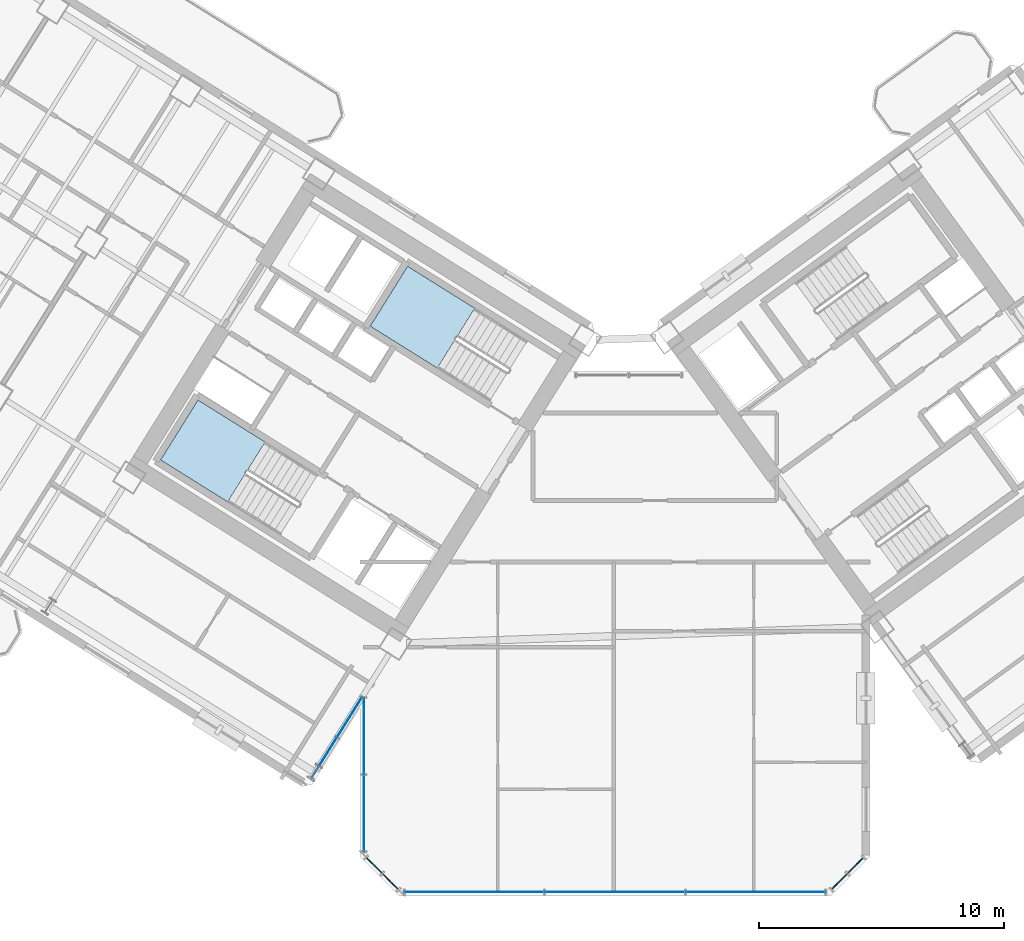
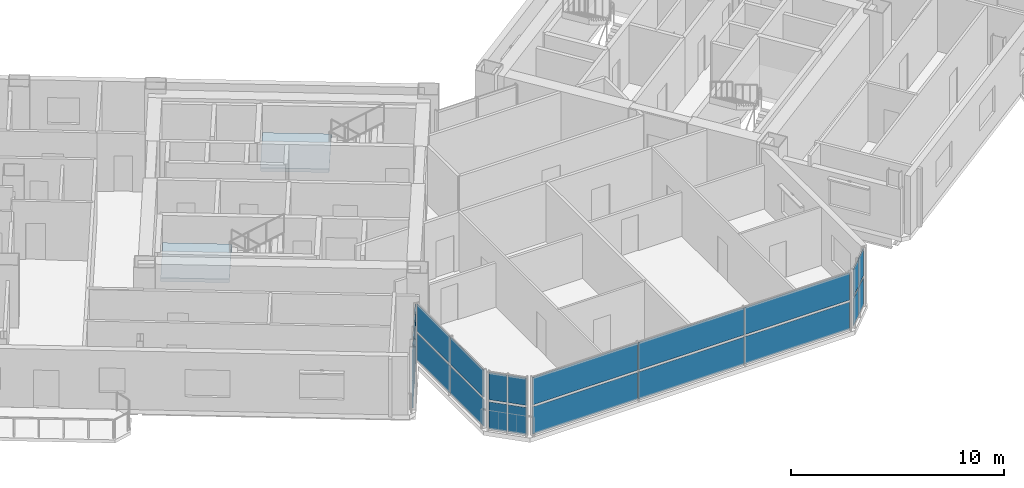
# One storey, part 13 of 24: 22 plates, 2 slabs, 7 elements without a shape of their own.
"""IFC4 building model written with IfcOpenShell, lengths in metres."""

from ifc_helpers import new_model, si_unit, direction, frame, origin, origin_2d, place, context, subcontext, project, spatial, polyline, rectangle, outline, extrude, source, transform, mapped, material, layer, layer_set, type_object, element, aggregate, save


model = new_model("IFC4")

# Units and contexts
model_context = context("Model", 3, precision=1e-05, world=origin(), true_north=direction((0.0, 1.0)))
body_context = subcontext(model_context, "Body", "Model", "MODEL_VIEW")
ifc_project = project(units=[si_unit("LENGTHUNIT", "METRE"), si_unit("AREAUNIT", "SQUARE_METRE"), si_unit("VOLUMEUNIT", "CUBIC_METRE"), si_unit("PLANEANGLEUNIT", "RADIAN"), si_unit("MASSUNIT", "GRAM", prefix="KILO")], contexts=[model_context])

# Site, building, storey
site_placement = place(None, origin())
site = spatial("IfcSite", under=ifc_project, at=site_placement, CompositionType="ELEMENT")
building_placement = place(site_placement, origin())
building = spatial("IfcBuilding", under=site, at=building_placement, Name="Tlacorven Tower", CompositionType="ELEMENT")
storey_placement = place(building_placement, frame((0.0, 0.0, 31.199951171875)))
storey = spatial("IfcBuildingStorey", under=building, at=storey_placement, Name="L07", CompositionType="ELEMENT", Elevation=31.199951171875)

# Stair, slab
ifc_material_1 = material(Name="Concrete C40/50", Category="concrete")
stair_type = type_object("IfcStairType", Name="ST-CORE-DLG", PredefinedType="HALF_TURN_STAIR", material=ifc_material_1)
stair_1_placement = place(storey_placement, origin())
stair_1 = element("IfcStair", 1, at=stair_1_placement, inside=storey, type_object=stair_type, Name="L07 Protected Exit Stair West 1", PredefinedType="HALF_TURN_STAIR")
ifc_layer_1 = layer(ifc_material_1, 0.199951171875)
ifc_layer_set_1 = layer_set([ifc_layer_1], Name="Concrete C40/50")
slab_type = type_object("IfcSlabType", Name="SL-LND-200", PredefinedType="LANDING", material=ifc_layer_set_1)
slab_1_placement = place(storey_placement, frame((0.0, 0.0, 1.60009765625)))
slab_1 = element("IfcSlab", 2, at=slab_1_placement, type_object=slab_type, Name="ST-W1 landing 1", PredefinedType="LANDING", context=body_context, shape_type="SweptSolid", body=[
    extrude(outline(polyline([(27.728515625, 20.315185546875), (24.9892578125, 22.02685546875), (23.463134765625, 19.58447265625), (26.2021484375, 17.872802734375), (27.728515625, 20.315185546875)])), origin(), (0.0, 0.0, 1.0), 0.199951171875),
])
aggregate(stair_1, [slab_1])

stair_2_placement = place(storey_placement, origin())
stair_2 = element("IfcStair", 3, at=stair_2_placement, inside=storey, type_object=stair_type, Name="L07 Protected Exit Stair West 2", PredefinedType="HALF_TURN_STAIR")
slab_2_placement = place(storey_placement, frame((0.0, 0.0, 1.60009765625)))
slab_2 = element("IfcSlab", 4, at=slab_2_placement, type_object=slab_type, Name="ST-W2 landing 1", PredefinedType="LANDING", context=body_context, shape_type="SweptSolid", body=[
    extrude(outline(polyline([(36.280029296875, 25.772705078125), (33.540771484375, 27.484375), (32.0146484375, 25.0419921875), (34.75390625, 23.33056640625), (36.280029296875, 25.772705078125)])), origin(), (0.0, 0.0, 1.0), 0.199951171875),
])
aggregate(stair_2, [slab_2])

# Curtain wall, plates
ifc_material_2 = material(Name="Dark solar low-E double glazing in aluminium frame", Category="aluminium")
curtain_wall_type = type_object("IfcCurtainWallType", Name="CW-TWR-LOW", PredefinedType="USERDEFINED", material=ifc_material_2)
curtain_wall_1_placement = place(storey_placement, origin())
curtain_wall_1 = element("IfcCurtainWall", 5, at=curtain_wall_1_placement, inside=storey, type_object=curtain_wall_type, Name="L07 CW-TWR-LOW Curtain Wall 33", ObjectType="UNITISED CURTAIN WALL", PredefinedType="USERDEFINED")
ifc_material_3 = material(Name="Dark solar double low-E glazing", Category="glass")
ifc_layer_2 = layer(ifc_material_3, 0.031982421875)
ifc_layer_set_2 = layer_set([ifc_layer_2], Name="Dark solar double low-E glazing")
plate_type = type_object("IfcPlateType", Name="CWP-02", PredefinedType="CURTAIN_PANEL", material=ifc_layer_set_2)
shared_shape_1 = source(origin(), body_context, "Body", "SweptSolid", [
    extrude(rectangle(XDim=0.878173828125, YDim=0.031982421875, at=origin_2d()), origin(), (0.0, 0.0, 1.0), 1.552978515625),
])
plate_1_placement = place(storey_placement, frame((51.815673828125, 3.0419921875, 0.06103515625), z_axis=(0.0, 0.0, 1.0), x_axis=(-0.707106781187, -0.707106781187, 0.0)))
plate_1 = element("IfcPlate", 6, at=plate_1_placement, type_object=plate_type, Name="CW-L07-033 Glazing Panel 1", PredefinedType="CURTAIN_PANEL", context=body_context, shape_type="MappedRepresentation", body=[
    mapped(shared_shape_1, transform((0.0, 0.0, 0.0), scale=1.0)),
])
plate_2_placement = place(storey_placement, frame((51.815673828125, 3.0419921875, 1.73583984375), z_axis=(0.0, 0.0, 1.0), x_axis=(-0.707106781187, -0.707106781187, 0.0)))
plate_2 = element("IfcPlate", 7, at=plate_2_placement, type_object=plate_type, Name="CW-L07-033 Glazing Panel 2", PredefinedType="CURTAIN_PANEL", context=body_context, shape_type="MappedRepresentation", body=[
    mapped(shared_shape_1, transform((0.0, 0.0, 0.0), scale=1.0)),
])
plate_3_placement = place(storey_placement, frame((51.157958984375, 2.38427734375, 0.06103515625), z_axis=(0.0, 0.0, 1.0), x_axis=(-0.707106781187, -0.707106781187, 0.0)))
plate_3 = element("IfcPlate", 8, at=plate_3_placement, type_object=plate_type, Name="CW-L07-033 Glazing Panel 3", PredefinedType="CURTAIN_PANEL", context=body_context, shape_type="MappedRepresentation", body=[
    mapped(shared_shape_1, transform((0.0, 0.0, 0.0), scale=1.0)),
])
plate_4_placement = place(storey_placement, frame((51.157958984375, 2.38427734375, 1.73583984375), z_axis=(0.0, 0.0, 1.0), x_axis=(-0.707106781187, -0.707106781187, 0.0)))
plate_4 = element("IfcPlate", 9, at=plate_4_placement, type_object=plate_type, Name="CW-L07-033 Glazing Panel 4", PredefinedType="CURTAIN_PANEL", context=body_context, shape_type="MappedRepresentation", body=[
    mapped(shared_shape_1, transform((0.0, 0.0, 0.0), scale=1.0)),
])
aggregate(curtain_wall_1, [plate_1, plate_2, plate_3, plate_4])

curtain_wall_2_placement = place(storey_placement, origin())
curtain_wall_2 = element("IfcCurtainWall", 10, at=curtain_wall_2_placement, inside=storey, type_object=curtain_wall_type, Name="L07 CW-TWR-LOW Curtain Wall 35", ObjectType="UNITISED CURTAIN WALL", PredefinedType="USERDEFINED")
plate_5_placement = place(storey_placement, frame((32.842041015625, 2.38427734375, 0.06103515625), z_axis=(0.0, 0.0, 1.0), x_axis=(-0.707106781187, 0.707106781187, 0.0)))
plate_5 = element("IfcPlate", 11, at=plate_5_placement, type_object=plate_type, Name="CW-L07-035 Glazing Panel 1", PredefinedType="CURTAIN_PANEL", context=body_context, shape_type="MappedRepresentation", body=[
    mapped(shared_shape_1, transform((0.0, 0.0, 0.0), scale=1.0)),
])
plate_6_placement = place(storey_placement, frame((32.842041015625, 2.38427734375, 1.73583984375), z_axis=(0.0, 0.0, 1.0), x_axis=(-0.707106781187, 0.707106781187, 0.0)))
plate_6 = element("IfcPlate", 12, at=plate_6_placement, type_object=plate_type, Name="CW-L07-035 Glazing Panel 2", PredefinedType="CURTAIN_PANEL", context=body_context, shape_type="MappedRepresentation", body=[
    mapped(shared_shape_1, transform((0.0, 0.0, 0.0), scale=1.0)),
])
plate_7_placement = place(storey_placement, frame((32.184326171875, 3.0419921875, 0.06103515625), z_axis=(0.0, 0.0, 1.0), x_axis=(-0.707106781187, 0.707106781187, 0.0)))
plate_7 = element("IfcPlate", 13, at=plate_7_placement, type_object=plate_type, Name="CW-L07-035 Glazing Panel 3", PredefinedType="CURTAIN_PANEL", context=body_context, shape_type="MappedRepresentation", body=[
    mapped(shared_shape_1, transform((0.0, 0.0, 0.0), scale=1.0)),
])
plate_8_placement = place(storey_placement, frame((32.184326171875, 3.0419921875, 1.73583984375), z_axis=(0.0, 0.0, 1.0), x_axis=(-0.707106781187, 0.707106781187, 0.0)))
plate_8 = element("IfcPlate", 14, at=plate_8_placement, type_object=plate_type, Name="CW-L07-035 Glazing Panel 4", PredefinedType="CURTAIN_PANEL", context=body_context, shape_type="MappedRepresentation", body=[
    mapped(shared_shape_1, transform((0.0, 0.0, 0.0), scale=1.0)),
])
aggregate(curtain_wall_2, [plate_5, plate_6, plate_7, plate_8])

curtain_wall_3_placement = place(storey_placement, origin())
curtain_wall_3 = element("IfcCurtainWall", 15, at=curtain_wall_3_placement, inside=storey, type_object=curtain_wall_type, Name="L07 CW-TWR-LOW Curtain Wall 34", ObjectType="UNITISED CURTAIN WALL", PredefinedType="USERDEFINED")
shared_shape_2 = source(origin(), body_context, "Body", "SweptSolid", [
    extrude(rectangle(XDim=5.668701171875, YDim=0.031982421875, at=origin_2d()), origin(), (0.0, 0.0, 1.0), 1.552978515625),
])
plate_9_placement = place(storey_placement, frame((47.73828125, 1.9599609375, 0.06103515625), z_axis=(0.0, 0.0, 1.0), x_axis=(-1.0, 0.0, 0.0)))
plate_9 = element("IfcPlate", 16, at=plate_9_placement, type_object=plate_type, Name="CW-L07-034 Glazing Panel 1", PredefinedType="CURTAIN_PANEL", context=body_context, shape_type="MappedRepresentation", body=[
    mapped(shared_shape_2, transform((0.0, 0.0, 0.0), scale=1.0)),
])
plate_10_placement = place(storey_placement, frame((47.73828125, 1.9599609375, 1.73583984375), z_axis=(0.0, 0.0, 1.0), x_axis=(-1.0, 0.0, 0.0)))
plate_10 = element("IfcPlate", 17, at=plate_10_placement, type_object=plate_type, Name="CW-L07-034 Glazing Panel 2", PredefinedType="CURTAIN_PANEL", context=body_context, shape_type="MappedRepresentation", body=[
    mapped(shared_shape_2, transform((0.0, 0.0, 0.0), scale=1.0)),
])
plate_11_placement = place(storey_placement, frame((36.26171875, 1.9599609375, 0.06103515625), z_axis=(0.0, 0.0, 1.0), x_axis=(-1.0, 0.0, 0.0)))
plate_11 = element("IfcPlate", 18, at=plate_11_placement, type_object=plate_type, Name="CW-L07-034 Glazing Panel 5", PredefinedType="CURTAIN_PANEL", context=body_context, shape_type="MappedRepresentation", body=[
    mapped(shared_shape_2, transform((0.0, 0.0, 0.0), scale=1.0)),
])
plate_12_placement = place(storey_placement, frame((36.26171875, 1.9599609375, 1.73583984375), z_axis=(0.0, 0.0, 1.0), x_axis=(-1.0, 0.0, 0.0)))
plate_12 = element("IfcPlate", 19, at=plate_12_placement, type_object=plate_type, Name="CW-L07-034 Glazing Panel 6", PredefinedType="CURTAIN_PANEL", context=body_context, shape_type="MappedRepresentation", body=[
    mapped(shared_shape_2, transform((0.0, 0.0, 0.0), scale=1.0)),
])
shared_shape_3 = source(origin(), body_context, "Body", "SweptSolid", [
    extrude(rectangle(XDim=5.703857421875, YDim=0.031982421875, at=origin_2d()), origin(), (0.0, 0.0, 1.0), 1.552978515625),
])
plate_13_placement = place(storey_placement, frame((42.0, 1.9599609375, 0.06103515625), z_axis=(0.0, 0.0, 1.0), x_axis=(-1.0, 0.0, 0.0)))
plate_13 = element("IfcPlate", 20, at=plate_13_placement, type_object=plate_type, Name="CW-L07-034 Glazing Panel 3", PredefinedType="CURTAIN_PANEL", context=body_context, shape_type="MappedRepresentation", body=[
    mapped(shared_shape_3, transform((0.0, 0.0, 0.0), scale=1.0)),
])
plate_14_placement = place(storey_placement, frame((42.0, 1.9599609375, 1.73583984375), z_axis=(0.0, 0.0, 1.0), x_axis=(-1.0, 0.0, 0.0)))
plate_14 = element("IfcPlate", 21, at=plate_14_placement, type_object=plate_type, Name="CW-L07-034 Glazing Panel 4", PredefinedType="CURTAIN_PANEL", context=body_context, shape_type="MappedRepresentation", body=[
    mapped(shared_shape_3, transform((0.0, 0.0, 0.0), scale=1.0)),
])
aggregate(curtain_wall_3, [plate_9, plate_10, plate_13, plate_14, plate_11, plate_12])

curtain_wall_4_placement = place(storey_placement, origin())
curtain_wall_4 = element("IfcCurtainWall", 22, at=curtain_wall_4_placement, inside=storey, type_object=curtain_wall_type, Name="L07 CW-TWR-LOW Curtain Wall 36", ObjectType="UNITISED CURTAIN WALL", PredefinedType="USERDEFINED")
shared_shape_4 = source(origin(), body_context, "Body", "SweptSolid", [
    extrude(rectangle(XDim=3.09423828125, YDim=0.031982421875, at=origin_2d()), origin(), (0.0, 0.0, 1.0), 1.552978515625),
])
plate_15_placement = place(storey_placement, frame((31.760009765625, 5.17431640625, 0.06103515625), z_axis=(0.0, 0.0, 1.0), x_axis=(0.0, 1.0, 0.0)))
plate_15 = element("IfcPlate", 23, at=plate_15_placement, type_object=plate_type, Name="CW-L07-036 Glazing Panel 1", PredefinedType="CURTAIN_PANEL", context=body_context, shape_type="MappedRepresentation", body=[
    mapped(shared_shape_4, transform((0.0, 0.0, 0.0), scale=1.0)),
])
plate_16_placement = place(storey_placement, frame((31.760009765625, 5.17431640625, 1.73583984375), z_axis=(0.0, 0.0, 1.0), x_axis=(0.0, 1.0, 0.0)))
plate_16 = element("IfcPlate", 24, at=plate_16_placement, type_object=plate_type, Name="CW-L07-036 Glazing Panel 2", PredefinedType="CURTAIN_PANEL", context=body_context, shape_type="MappedRepresentation", body=[
    mapped(shared_shape_4, transform((0.0, 0.0, 0.0), scale=1.0)),
])
plate_17_placement = place(storey_placement, frame((31.760009765625, 8.320556640625, 0.06103515625), z_axis=(0.0, 0.0, 1.0), x_axis=(0.0, 1.0, 0.0)))
plate_17 = element("IfcPlate", 25, at=plate_17_placement, type_object=plate_type, Name="CW-L07-036 Glazing Panel 3", PredefinedType="CURTAIN_PANEL", context=body_context, shape_type="MappedRepresentation", body=[
    mapped(shared_shape_4, transform((0.0, 0.0, 0.0), scale=1.0)),
])
plate_18_placement = place(storey_placement, frame((31.760009765625, 8.320556640625, 1.73583984375), z_axis=(0.0, 0.0, 1.0), x_axis=(0.0, 1.0, 0.0)))
plate_18 = element("IfcPlate", 26, at=plate_18_placement, type_object=plate_type, Name="CW-L07-036 Glazing Panel 4", PredefinedType="CURTAIN_PANEL", context=body_context, shape_type="MappedRepresentation", body=[
    mapped(shared_shape_4, transform((0.0, 0.0, 0.0), scale=1.0)),
])
aggregate(curtain_wall_4, [plate_15, plate_16, plate_17, plate_18])

curtain_wall_5_placement = place(storey_placement, origin())
curtain_wall_5 = element("IfcCurtainWall", 27, at=curtain_wall_5_placement, inside=storey, type_object=curtain_wall_type, Name="L07 CW-TWR-LOW Curtain Wall 37", ObjectType="UNITISED CURTAIN WALL", PredefinedType="USERDEFINED")
shared_shape_5 = source(origin(), body_context, "Body", "SweptSolid", [
    extrude(rectangle(XDim=1.896240234375, YDim=0.031982421875, at=origin_2d()), origin(), (0.0, 0.0, 1.0), 1.552978515625),
])
plate_19_placement = place(storey_placement, frame((31.172119140625, 9.087890625, 0.06103515625), z_axis=(0.0, 0.0, 1.0), x_axis=(-0.529918710919, -0.848048441905, 0.0)))
plate_19 = element("IfcPlate", 28, at=plate_19_placement, type_object=plate_type, Name="CW-L07-037 Glazing Panel 1", PredefinedType="CURTAIN_PANEL", context=body_context, shape_type="MappedRepresentation", body=[
    mapped(shared_shape_5, transform((0.0, 0.0, 0.0), scale=1.0)),
])
plate_20_placement = place(storey_placement, frame((31.172119140625, 9.087890625, 1.73583984375), z_axis=(0.0, 0.0, 1.0), x_axis=(-0.529918710919, -0.848048441905, 0.0)))
plate_20 = element("IfcPlate", 29, at=plate_20_placement, type_object=plate_type, Name="CW-L07-037 Glazing Panel 2", PredefinedType="CURTAIN_PANEL", context=body_context, shape_type="MappedRepresentation", body=[
    mapped(shared_shape_5, transform((0.0, 0.0, 0.0), scale=1.0)),
])
plate_21_placement = place(storey_placement, frame((30.1396484375, 7.435791015625, 0.06103515625), z_axis=(0.0, 0.0, 1.0), x_axis=(-0.529918710919, -0.848048441905, 0.0)))
plate_21 = element("IfcPlate", 30, at=plate_21_placement, type_object=plate_type, Name="CW-L07-037 Glazing Panel 3", PredefinedType="CURTAIN_PANEL", context=body_context, shape_type="MappedRepresentation", body=[
    mapped(shared_shape_5, transform((0.0, 0.0, 0.0), scale=1.0)),
])
plate_22_placement = place(storey_placement, frame((30.1396484375, 7.435791015625, 1.73583984375), z_axis=(0.0, 0.0, 1.0), x_axis=(-0.529918710919, -0.848048441905, 0.0)))
plate_22 = element("IfcPlate", 31, at=plate_22_placement, type_object=plate_type, Name="CW-L07-037 Glazing Panel 4", PredefinedType="CURTAIN_PANEL", context=body_context, shape_type="MappedRepresentation", body=[
    mapped(shared_shape_5, transform((0.0, 0.0, 0.0), scale=1.0)),
])
aggregate(curtain_wall_5, [plate_19, plate_20, plate_21, plate_22])

save(model, "model.ifc")
